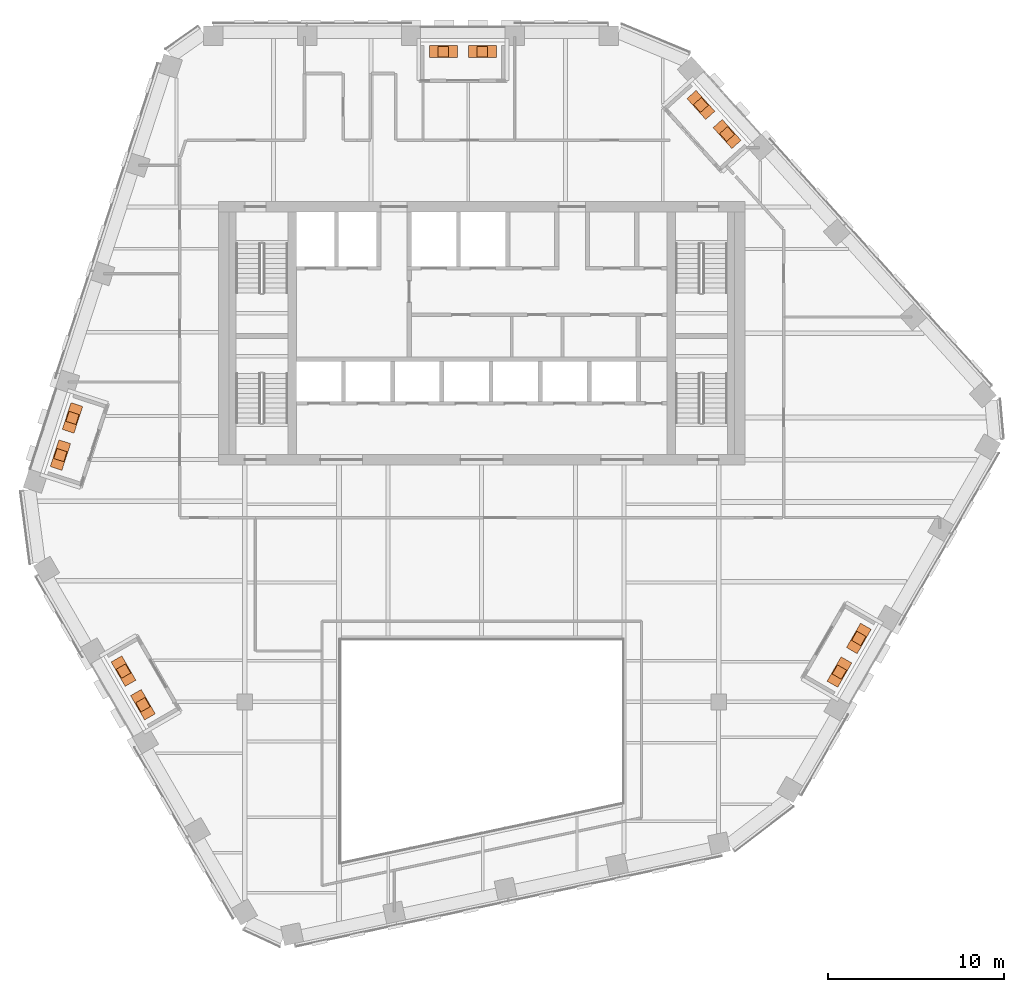
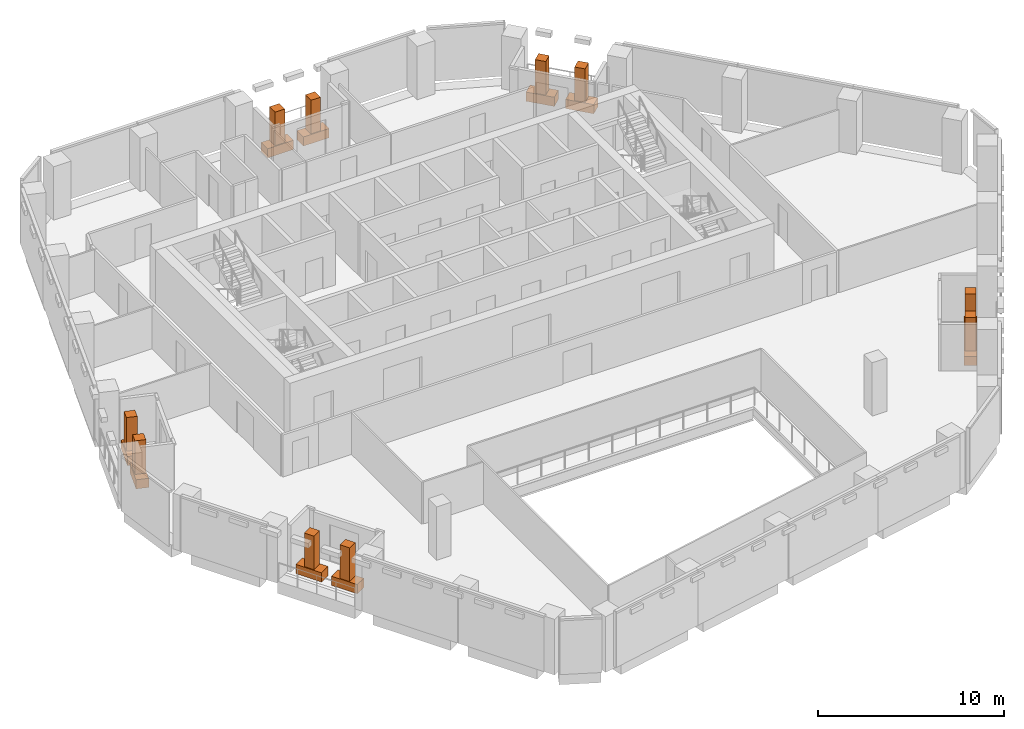
# One storey, part 24 of 24: 10 geographic elements, 10 proxies.
"""IFC4 building model written with IfcOpenShell, lengths in metres."""

from ifc_helpers import new_model, si_unit, direction, frame, origin, origin_2d, place, context, subcontext, project, spatial, rectangle, extrude, material, type_object, element, save


model = new_model("IFC4")

# Units and contexts
model_context = context("Model", 3, precision=1e-05, world=origin(), true_north=direction((0.0, 1.0)))
body_context = subcontext(model_context, "Body", "Model", "MODEL_VIEW")
ifc_project = project(units=[si_unit("LENGTHUNIT", "METRE"), si_unit("AREAUNIT", "SQUARE_METRE"), si_unit("VOLUMEUNIT", "CUBIC_METRE"), si_unit("PLANEANGLEUNIT", "RADIAN"), si_unit("MASSUNIT", "GRAM", prefix="KILO")], contexts=[model_context])

# Site, building, storey
site_placement = place(None, origin())
site = spatial("IfcSite", under=ifc_project, at=site_placement, CompositionType="ELEMENT")
building_placement = place(site_placement, origin())
building = spatial("IfcBuilding", under=site, at=building_placement, Name="Isthmus Gate Tower", CompositionType="ELEMENT")
storey_placement = place(building_placement, frame((0.0, 0.0, 234.550048828125)))
storey = spatial("IfcBuildingStorey", under=building, at=storey_placement, Name="L59", CompositionType="ELEMENT", Elevation=234.550048828125)

# Geographic elements
ifc_material_1 = material(Name="Plant material, broadleaf tree")
geographic_element_type = type_object("IfcGeographicElementType", Name="BROADLEAF TREE 2200 HIGH", PredefinedType="USERDEFINED", material=ifc_material_1)
for number, where, z_axis, x_axis, name in (
    (1, (0.03173828125, 23.550048828125, 0.60009765625), (0.0, 0.0, 1.0), (-1.0, 0.0, 0.0), "TREE"),
    (2, (-2.18115234375, 23.550048828125, 0.60009765625), (0.0, 0.0, 1.0), (-1.0, 0.0, 0.0), "TREE"),
    (3, (-23.3173828125, 2.677978515625, 0.60009765625), (0.0, 0.0, 1.0), (-0.309016994375, -0.951056516295, 0.0), "TREE"),
    (4, (-24.005615234375, 0.559814453125, 0.60009765625), (0.0, 0.0, 1.0), (-0.309016994375, -0.951056516295, 0.0), "TREE"),
    (5, (-20.41064453125, -11.74755859375, 0.60009765625), (0.0, 0.0, 1.0), (0.5, -0.866025403784, 0.0), "TREE"),
    (6, (-19.30419921875, -13.6640625, 0.60009765625), (0.0, 0.0, 1.0), (0.5, -0.866025403784, 0.0), "TREE"),
    (7, (20.379150390625, -11.802490234375, 0.60009765625), (0.0, 0.0, 1.0), (0.5, 0.866025403784, 0.0), "TREE"),
    (8, (21.485595703125, -9.885986328125, 0.60009765625), (0.0, 0.0, 1.0), (0.5, 0.866025403784, 0.0), "TREE"),
    (9, (13.97802734375, 18.8544921875, 0.60009765625), (0.0, 0.0, 1.0), (-0.669130606359, 0.743144825477, 0.0), "TREE"),
    (10, (12.487548828125, 20.509521484375, 0.60009765625), (0.0, 0.0, 1.0), (-0.669130606359, 0.743144825477, 0.0), "TREE"),
):
    element("IfcGeographicElement", number, at=place(storey_placement, frame(where, z_axis=z_axis, x_axis=x_axis)), inside=storey, type_object=geographic_element_type, Name=name, ObjectType="TREE", PredefinedType="USERDEFINED", context=body_context, shape_type="SweptSolid", body=[
        extrude(rectangle(XDim=0.60009765625, YDim=0.60009765625, at=origin_2d()), origin(), (0.0, 0.0, 1.0), 2.199951171875),
    ])

# Proxies
ifc_material_2 = material(Name="Concrete f'c 40 MPa", Category="concrete")
building_element_proxy_type = type_object("IfcBuildingElementProxyType", Name="CONCRETE PLANTER 1600 X 700 X 600", PredefinedType="USERDEFINED", material=ifc_material_2)
for number, where, z_axis, x_axis, name in (
    (11, (0.03173828125, 23.550048828125, 0.0), (0.0, 0.0, 1.0), (-1.0, 0.0, 0.0), "PLANTER"),
    (12, (-2.18115234375, 23.550048828125, 0.0), (0.0, 0.0, 1.0), (-1.0, 0.0, 0.0), "PLANTER"),
    (13, (-23.3173828125, 2.677978515625, 0.0), (0.0, 0.0, 1.0), (-0.309016994375, -0.951056516295, 0.0), "PLANTER"),
    (14, (-24.005615234375, 0.559814453125, 0.0), (0.0, 0.0, 1.0), (-0.309016994375, -0.951056516295, 0.0), "PLANTER"),
    (15, (-20.41064453125, -11.74755859375, 0.0), (0.0, 0.0, 1.0), (0.5, -0.866025403784, 0.0), "PLANTER"),
    (16, (-19.30419921875, -13.6640625, 0.0), (0.0, 0.0, 1.0), (0.5, -0.866025403784, 0.0), "PLANTER"),
    (17, (20.379150390625, -11.802490234375, 0.0), (0.0, 0.0, 1.0), (0.5, 0.866025403784, 0.0), "PLANTER"),
    (18, (21.485595703125, -9.885986328125, 0.0), (0.0, 0.0, 1.0), (0.5, 0.866025403784, 0.0), "PLANTER"),
    (19, (13.97802734375, 18.8544921875, 0.0), (0.0, 0.0, 1.0), (-0.669130606359, 0.743144825477, 0.0), "PLANTER"),
    (20, (12.487548828125, 20.509521484375, 0.0), (0.0, 0.0, 1.0), (-0.669130606359, 0.743144825477, 0.0), "PLANTER"),
):
    element("IfcBuildingElementProxy", number, at=place(storey_placement, frame(where, z_axis=z_axis, x_axis=x_axis)), inside=storey, type_object=building_element_proxy_type, Name=name, ObjectType="PLANTER", PredefinedType="USERDEFINED", context=body_context, shape_type="SweptSolid", body=[
        extrude(rectangle(XDim=1.60009765625, YDim=0.699951171875, at=origin_2d()), origin(), (0.0, 0.0, 1.0), 0.60009765625),
    ])

save(model, "model.ifc")
